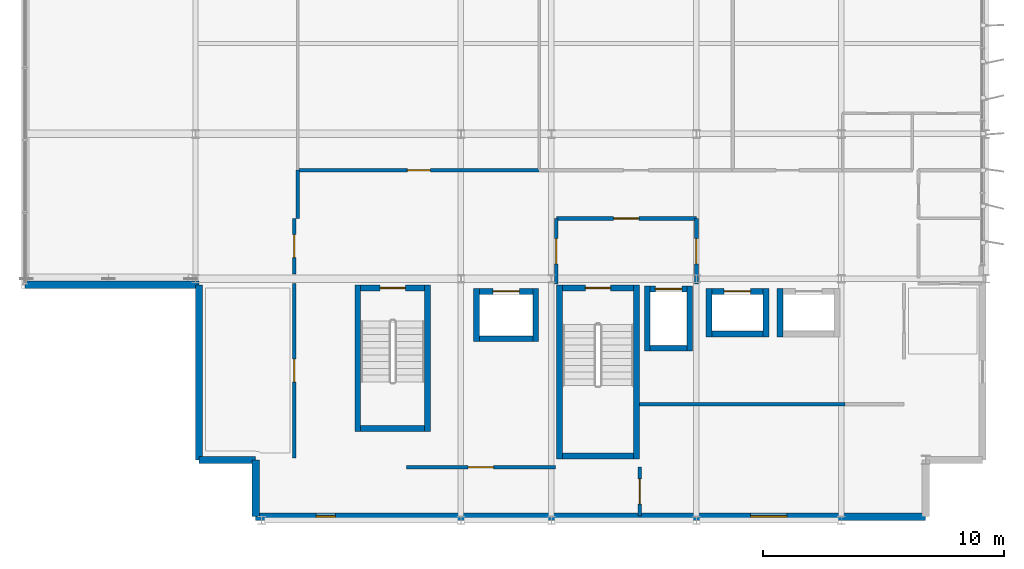
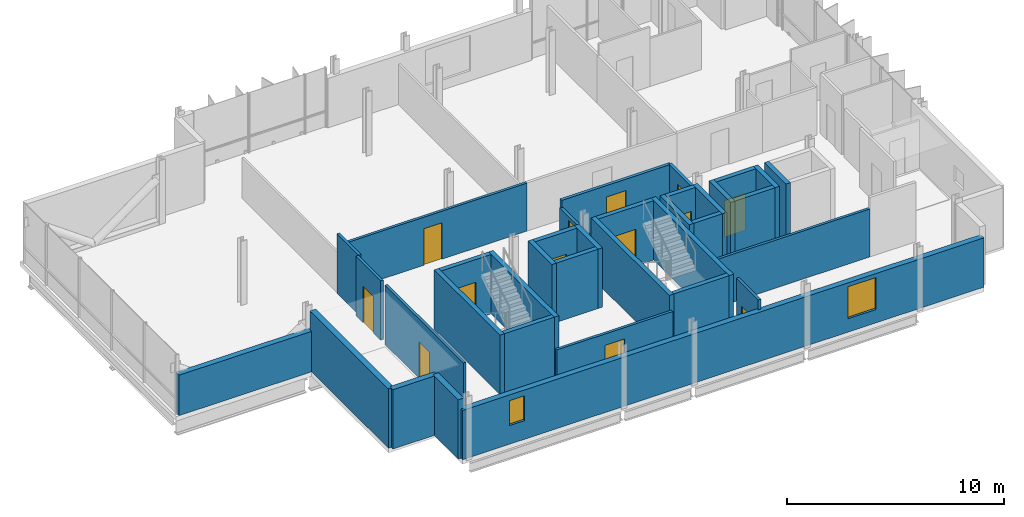
# One storey, part 14 of 18: 36 walls, 13 doors, 2 windows, 15 openings.
"""IFC4 building model written with IfcOpenShell, lengths in metres."""

from ifc_helpers import new_model, si_unit, direction, frame, frame_2d, origin, place, context, subcontext, project, spatial, rectangle, extrude, material, layer, layer_set, type_object, element, fill, save


model = new_model("IFC4")

# Units and contexts
model_context = context("Model", 3, precision=1e-05, world=origin(), true_north=direction((0.0, 1.0)))
body_context = subcontext(model_context, "Body", "Model", "MODEL_VIEW")
ifc_project = project(units=[si_unit("LENGTHUNIT", "METRE"), si_unit("AREAUNIT", "SQUARE_METRE"), si_unit("VOLUMEUNIT", "CUBIC_METRE"), si_unit("PLANEANGLEUNIT", "RADIAN"), si_unit("MASSUNIT", "GRAM", prefix="KILO")], contexts=[model_context])

# Site, building, storey
site_placement = place(None, origin())
site = spatial("IfcSite", under=ifc_project, at=site_placement, CompositionType="ELEMENT")
building_placement = place(site_placement, origin())
building = spatial("IfcBuilding", under=site, at=building_placement, Name="Brevholm Reach", CompositionType="ELEMENT")
storey_placement = place(building_placement, frame((0.0, 0.0, 243.64990234375)))
storey = spatial("IfcBuildingStorey", under=building, at=storey_placement, Name="L74", CompositionType="ELEMENT", Elevation=243.64990234375)

# Walls
ifc_material_1 = material(Name="Concrete C45/55", Category="concrete")
ifc_layer_1 = layer(ifc_material_1, 0.239990234375)
ifc_layer_set_1 = layer_set([ifc_layer_1], Name="Concrete C45/55")
wall_type_1 = type_object("IfcWallType", Name="WAL-COR-240", PredefinedType="SHEAR", material=ifc_layer_set_1)
for number, where, z_axis, x_axis, name in (
    (1, (42.330078125, 2.5400390625, 0.0), (0.0, 0.0, 1.0), (0.0, 1.0, 0.0), "L74 Escape Stair ST-2 Core Wall W"),
    (2, (45.52001953125, 2.5400390625, 0.0), (0.0, 0.0, 1.0), (0.0, 1.0, 0.0), "L74 Escape Stair ST-2 Core Wall E"),
):
    element("IfcWall", number, at=place(storey_placement, frame(where, z_axis=z_axis, x_axis=x_axis)), inside=storey, type_object=wall_type_1, Name=name, PredefinedType="SHEAR", context=body_context, shape_type="SweptSolid", body=[
        extrude(rectangle(XDim=7.199951171875, YDim=0.239990234375, at=frame_2d((3.60009765625, 0.0))), origin(), (0.0, 0.0, 1.0), 3.340087890625),
    ])
wall_1_placement = place(storey_placement, frame((42.449951171875, 2.659912109375, 0.0), z_axis=(0.0, 0.0, 1.0), x_axis=(1.0, 0.0, 0.0)))
element("IfcWall", 3, at=wall_1_placement, inside=storey, type_object=wall_type_1, Name="L74 Escape Stair ST-2 Core Wall S", PredefinedType="SHEAR", context=body_context, shape_type="SweptSolid", body=[
    extrude(rectangle(XDim=2.949951171875, YDim=0.239990234375, at=frame_2d((1.47509765625, 0.0))), origin(), (0.0, 0.0, 1.0), 3.340087890625),
])

# Wall, opening, door
wall_2_placement = place(storey_placement, frame((45.39990234375, 9.6201171875, 0.0), z_axis=(0.0, 0.0, 1.0), x_axis=(-1.0, 0.0, 0.0)))
wall_2 = element("IfcWall", 4, at=wall_2_placement, inside=storey, type_object=wall_type_1, Name="L74 Escape Stair ST-2 Core Wall N", PredefinedType="SHEAR", context=body_context, shape_type="SweptSolid", body=[
    extrude(rectangle(XDim=2.949951171875, YDim=0.239990234375, at=frame_2d((1.47509765625, 0.0))), origin(), (0.0, 0.0, 1.0), 3.340087890625),
])
opening_1_placement = place(wall_2_placement, frame((0.949951171875, 0.0, 0.0)))
opening_1 = element("IfcOpeningElement", 5, at=opening_1_placement, cuts=wall_2, Name="Opening SD-ST-2", PredefinedType="OPENING", context=body_context, shape_type="SweptSolid", body=[
    extrude(rectangle(XDim=1.050048828125, YDim=2.06005859375, at=frame_2d((0.52490234375, 1.030029296875))), frame((0.0, 0.1298828125, 0.0), z_axis=(0.0, -1.0, 0.0), x_axis=(1.0, 0.0, 0.0)), (0.0, 0.0, 1.0), 0.260009765625),
])
ifc_material_2 = material(Name="Hardwood-Lipped Steel-Core Fire and Smoke Door", Category="steel")
door_type_1 = type_object("IfcDoorType", Name="DOR-INT-FD60S", OperationType="NOTDEFINED", PredefinedType="DOOR", material=ifc_material_2)
door_1_placement = place(opening_1_placement, origin())
door_1 = element("IfcDoor", 6, at=door_1_placement, inside=storey, type_object=door_type_1, Name="L74 Protected Stair ST-2 Lobby Door", OperationType="SINGLE_SWING_LEFT", OverallHeight=2.06005859375, OverallWidth=1.050048828125, PredefinedType="DOOR", context=body_context, shape_type="SweptSolid", body=[
    extrude(rectangle(XDim=1.050048828125, YDim=2.06005859375, at=frame_2d((0.52490234375, 1.030029296875))), frame((0.0, 0.02490234375, 0.0), z_axis=(0.0, -1.0, 0.0), x_axis=(1.0, 0.0, 0.0)), (0.0, 0.0, 1.0), 0.050048828125),
])
fill(opening_1, door_1)

# Walls
for number, where, z_axis, x_axis, name in (
    (7, (33.97998046875, 3.679931640625, 0.0), (0.0, 0.0, 1.0), (0.0, 1.0, 0.0), "L74 Escape Stair ST-3 Core Wall W"),
    (8, (36.8701171875, 3.679931640625, 0.0), (0.0, 0.0, 1.0), (0.0, 1.0, 0.0), "L74 Escape Stair ST-3 Core Wall E"),
):
    element("IfcWall", number, at=place(storey_placement, frame(where, z_axis=z_axis, x_axis=x_axis)), inside=storey, type_object=wall_type_1, Name=name, PredefinedType="SHEAR", context=body_context, shape_type="SweptSolid", body=[
        extrude(rectangle(XDim=6.06005859375, YDim=0.239990234375, at=frame_2d((3.030029296875, 0.0))), origin(), (0.0, 0.0, 1.0), 3.340087890625),
    ])
wall_3_placement = place(storey_placement, frame((34.10009765625, 3.800048828125, 0.0), z_axis=(0.0, 0.0, 1.0), x_axis=(1.0, 0.0, 0.0)))
element("IfcWall", 9, at=wall_3_placement, inside=storey, type_object=wall_type_1, Name="L74 Escape Stair ST-3 Core Wall S", PredefinedType="SHEAR", context=body_context, shape_type="SweptSolid", body=[
    extrude(rectangle(XDim=2.64990234375, YDim=0.239990234375, at=frame_2d((1.324951171875, 0.0))), origin(), (0.0, 0.0, 1.0), 3.340087890625),
])

# Wall, opening, door
wall_4_placement = place(storey_placement, frame((36.75, 9.6201171875, 0.0), z_axis=(0.0, 0.0, 1.0), x_axis=(-1.0, 0.0, 0.0)))
wall_4 = element("IfcWall", 10, at=wall_4_placement, inside=storey, type_object=wall_type_1, Name="L74 Escape Stair ST-3 Core Wall N", PredefinedType="SHEAR", context=body_context, shape_type="SweptSolid", body=[
    extrude(rectangle(XDim=2.64990234375, YDim=0.239990234375, at=frame_2d((1.324951171875, 0.0))), origin(), (0.0, 0.0, 1.0), 3.340087890625),
])
opening_2_placement = place(wall_4_placement, frame((0.800048828125, 0.0, 0.0)))
opening_2 = element("IfcOpeningElement", 11, at=opening_2_placement, cuts=wall_4, Name="Opening SD-ST-3", PredefinedType="OPENING", context=body_context, shape_type="SweptSolid", body=[
    extrude(rectangle(XDim=1.050048828125, YDim=2.06005859375, at=frame_2d((0.52490234375, 1.030029296875))), frame((0.0, 0.1298828125, 0.0), z_axis=(0.0, -1.0, 0.0), x_axis=(1.0, 0.0, 0.0)), (0.0, 0.0, 1.0), 0.260009765625),
])
door_2_placement = place(opening_2_placement, origin())
door_2 = element("IfcDoor", 12, at=door_2_placement, inside=storey, type_object=door_type_1, Name="L74 Protected Stair ST-3 Lobby Door", OperationType="SINGLE_SWING_LEFT", OverallHeight=2.06005859375, OverallWidth=1.050048828125, PredefinedType="DOOR", context=body_context, shape_type="SweptSolid", body=[
    extrude(rectangle(XDim=1.050048828125, YDim=2.06005859375, at=frame_2d((0.52490234375, 1.030029296875))), frame((0.0, 0.02490234375, 0.0), z_axis=(0.0, -1.0, 0.0), x_axis=(1.0, 0.0, 0.0)), (0.0, 0.0, 1.0), 0.050048828125),
])
fill(opening_2, door_2)

# Walls
for number, where, z_axis, x_axis, name in (
    (13, (45.969970703125, 7.0, 0.0), (0.0, 0.0, 1.0), (0.0, 1.0, 0.0), "L74 Lift FFL-2 Shaft Wall W"),
    (14, (47.72998046875, 7.0, 0.0), (0.0, 0.0, 1.0), (0.0, 1.0, 0.0), "L74 Lift FFL-2 Shaft Wall E"),
):
    element("IfcWall", number, at=place(storey_placement, frame(where, z_axis=z_axis, x_axis=x_axis)), inside=storey, type_object=wall_type_1, Name=name, PredefinedType="SHEAR", context=body_context, shape_type="SweptSolid", body=[
        extrude(rectangle(XDim=2.699951171875, YDim=0.239990234375, at=frame_2d((1.35009765625, 0.0))), origin(), (0.0, 0.0, 1.0), 3.340087890625),
    ])
wall_5_placement = place(storey_placement, frame((46.090087890625, 7.1201171875, 0.0), z_axis=(0.0, 0.0, 1.0), x_axis=(1.0, 0.0, 0.0)))
element("IfcWall", 15, at=wall_5_placement, inside=storey, type_object=wall_type_1, Name="L74 Lift FFL-2 Shaft Wall S", PredefinedType="SHEAR", context=body_context, shape_type="SweptSolid", body=[
    extrude(rectangle(XDim=1.52001953125, YDim=0.239990234375, at=frame_2d((0.760009765625, 0.0))), origin(), (0.0, 0.0, 1.0), 3.340087890625),
])

# Wall, opening, door
wall_6_placement = place(storey_placement, frame((46.090087890625, 9.580078125, 0.0), z_axis=(0.0, 0.0, 1.0), x_axis=(1.0, 0.0, 0.0)))
wall_6 = element("IfcWall", 16, at=wall_6_placement, inside=storey, type_object=wall_type_1, Name="L74 Lift FFL-2 Shaft Wall N", PredefinedType="SHEAR", context=body_context, shape_type="SweptSolid", body=[
    extrude(rectangle(XDim=1.52001953125, YDim=0.239990234375, at=frame_2d((0.760009765625, 0.0))), origin(), (0.0, 0.0, 1.0), 3.340087890625),
])
opening_3_placement = place(wall_6_placement, frame((0.2099609375, 0.0, 0.0)))
opening_3 = element("IfcOpeningElement", 17, at=opening_3_placement, cuts=wall_6, Name="Opening LD-FFL-2", PredefinedType="OPENING", context=body_context, shape_type="SweptSolid", body=[
    extrude(rectangle(XDim=1.10009765625, YDim=2.06005859375, at=frame_2d((0.550048828125, 1.030029296875))), frame((0.0, 0.1298828125, 0.0), z_axis=(0.0, -1.0, 0.0), x_axis=(1.0, 0.0, 0.0)), (0.0, 0.0, 1.0), 0.260009765625),
])
ifc_material_3 = material(Name="Brushed Stainless Steel Fire-Rated Sliding Lift Door", Category="steel")
door_type_2 = type_object("IfcDoorType", Name="DOR-LFT-1100", OperationType="NOTDEFINED", PredefinedType="DOOR", material=ifc_material_3)
door_3_placement = place(opening_3_placement, origin())
door_3 = element("IfcDoor", 18, at=door_3_placement, inside=storey, type_object=door_type_2, Name="L74 Lift FFL-2 Sliding Landing Door", OperationType="SLIDING_TO_LEFT", OverallHeight=2.06005859375, OverallWidth=1.10009765625, PredefinedType="DOOR", context=body_context, shape_type="SweptSolid", body=[
    extrude(rectangle(XDim=1.10009765625, YDim=2.06005859375, at=frame_2d((0.550048828125, 1.030029296875))), frame((0.0, 0.02490234375, 0.0), z_axis=(0.0, -1.0, 0.0), x_axis=(1.0, 0.0, 0.0)), (0.0, 0.0, 1.0), 0.050048828125),
])
fill(opening_3, door_3)

# Walls
for number, where, z_axis, x_axis, name in (
    (19, (38.889892578125, 7.39990234375, 0.0), (0.0, 0.0, 1.0), (0.0, 1.0, 0.0), "L74 Lift PL-S1 Shaft Wall W"),
    (20, (41.35009765625, 7.39990234375, 0.0), (0.0, 0.0, 1.0), (0.0, 1.0, 0.0), "L74 Lift PL-S1 Shaft Wall E"),
):
    element("IfcWall", number, at=place(storey_placement, frame(where, z_axis=z_axis, x_axis=x_axis)), inside=storey, type_object=wall_type_1, Name=name, PredefinedType="SHEAR", context=body_context, shape_type="SweptSolid", body=[
        extrude(rectangle(XDim=2.2001953125, YDim=0.239990234375, at=frame_2d((1.10009765625, 0.0))), origin(), (0.0, 0.0, 1.0), 3.340087890625),
    ])
wall_7_placement = place(storey_placement, frame((39.010009765625, 7.52001953125, 0.0), z_axis=(0.0, 0.0, 1.0), x_axis=(1.0, 0.0, 0.0)))
element("IfcWall", 21, at=wall_7_placement, inside=storey, type_object=wall_type_1, Name="L74 Lift PL-S1 Shaft Wall S", PredefinedType="SHEAR", context=body_context, shape_type="SweptSolid", body=[
    extrude(rectangle(XDim=2.219970703125, YDim=0.239990234375, at=frame_2d((1.10986328125, 0.0))), origin(), (0.0, 0.0, 1.0), 3.340087890625),
])

# Wall, opening, door
wall_8_placement = place(storey_placement, frame((39.010009765625, 9.47998046875, 0.0), z_axis=(0.0, 0.0, 1.0), x_axis=(1.0, 0.0, 0.0)))
wall_8 = element("IfcWall", 22, at=wall_8_placement, inside=storey, type_object=wall_type_1, Name="L74 Lift PL-S1 Shaft Wall N", PredefinedType="SHEAR", context=body_context, shape_type="SweptSolid", body=[
    extrude(rectangle(XDim=2.219970703125, YDim=0.239990234375, at=frame_2d((1.10986328125, 0.0))), origin(), (0.0, 0.0, 1.0), 3.340087890625),
])
opening_4_placement = place(wall_8_placement, frame((0.56005859375, 0.0, 0.0)))
opening_4 = element("IfcOpeningElement", 23, at=opening_4_placement, cuts=wall_8, Name="Opening LD-PL-S1", PredefinedType="OPENING", context=body_context, shape_type="SweptSolid", body=[
    extrude(rectangle(XDim=1.10009765625, YDim=2.06005859375, at=frame_2d((0.550048828125, 1.030029296875))), frame((0.0, 0.1298828125, 0.0), z_axis=(0.0, -1.0, 0.0), x_axis=(1.0, 0.0, 0.0)), (0.0, 0.0, 1.0), 0.260009765625),
])
door_4_placement = place(opening_4_placement, origin())
door_4 = element("IfcDoor", 24, at=door_4_placement, inside=storey, type_object=door_type_2, Name="L74 Lift PL-S1 Sliding Landing Door", OperationType="SLIDING_TO_RIGHT", OverallHeight=2.06005859375, OverallWidth=1.10009765625, PredefinedType="DOOR", context=body_context, shape_type="SweptSolid", body=[
    extrude(rectangle(XDim=1.10009765625, YDim=2.06005859375, at=frame_2d((0.550048828125, 1.030029296875))), frame((0.0, 0.02490234375, 0.0), z_axis=(0.0, -1.0, 0.0), x_axis=(1.0, 0.0, 0.0)), (0.0, 0.0, 1.0), 0.050048828125),
])
fill(opening_4, door_4)

# Walls
for number, where, z_axis, x_axis, name in (
    (25, (48.52001953125, 7.60009765625, 0.0), (0.0, 0.0, 1.0), (0.0, 1.0, 0.0), "L74 Lift PL-H1 Shaft Wall W"),
    (26, (50.8798828125, 7.60009765625, 0.0), (0.0, 0.0, 1.0), (0.0, 1.0, 0.0), "L74 Lift PL-H1 Shaft Wall E"),
):
    element("IfcWall", number, at=place(storey_placement, frame(where, z_axis=z_axis, x_axis=x_axis)), inside=storey, type_object=wall_type_1, Name=name, PredefinedType="SHEAR", context=body_context, shape_type="SweptSolid", body=[
        extrude(rectangle(XDim=2.0, YDim=0.239990234375, at=frame_2d((1.0, 0.0))), origin(), (0.0, 0.0, 1.0), 3.340087890625),
    ])
wall_9_placement = place(storey_placement, frame((48.639892578125, 7.719970703125, 0.0), z_axis=(0.0, 0.0, 1.0), x_axis=(1.0, 0.0, 0.0)))
element("IfcWall", 27, at=wall_9_placement, inside=storey, type_object=wall_type_1, Name="L74 Lift PL-H1 Shaft Wall S", PredefinedType="SHEAR", context=body_context, shape_type="SweptSolid", body=[
    extrude(rectangle(XDim=2.1201171875, YDim=0.239990234375, at=frame_2d((1.06005859375, 0.0))), origin(), (0.0, 0.0, 1.0), 3.340087890625),
])

# Wall, opening, door
wall_10_placement = place(storey_placement, frame((48.639892578125, 9.47998046875, 0.0), z_axis=(0.0, 0.0, 1.0), x_axis=(1.0, 0.0, 0.0)))
wall_10 = element("IfcWall", 28, at=wall_10_placement, inside=storey, type_object=wall_type_1, Name="L74 Lift PL-H1 Shaft Wall N", PredefinedType="SHEAR", context=body_context, shape_type="SweptSolid", body=[
    extrude(rectangle(XDim=2.1201171875, YDim=0.239990234375, at=frame_2d((1.06005859375, 0.0))), origin(), (0.0, 0.0, 1.0), 3.340087890625),
])
opening_5_placement = place(wall_10_placement, frame((0.510009765625, 0.0, 0.0)))
opening_5 = element("IfcOpeningElement", 29, at=opening_5_placement, cuts=wall_10, Name="Opening LD-PL-H1", PredefinedType="OPENING", context=body_context, shape_type="SweptSolid", body=[
    extrude(rectangle(XDim=1.10009765625, YDim=2.06005859375, at=frame_2d((0.550048828125, 1.030029296875))), frame((0.0, 0.1298828125, 0.0), z_axis=(0.0, -1.0, 0.0), x_axis=(1.0, 0.0, 0.0)), (0.0, 0.0, 1.0), 0.260009765625),
])
door_5_placement = place(opening_5_placement, origin())
door_5 = element("IfcDoor", 30, at=door_5_placement, inside=storey, type_object=door_type_2, Name="L74 Lift PL-H1 Sliding Landing Door", OperationType="SLIDING_TO_LEFT", OverallHeight=2.06005859375, OverallWidth=1.10009765625, PredefinedType="DOOR", context=body_context, shape_type="SweptSolid", body=[
    extrude(rectangle(XDim=1.10009765625, YDim=2.06005859375, at=frame_2d((0.550048828125, 1.030029296875))), frame((0.0, 0.02490234375, 0.0), z_axis=(0.0, -1.0, 0.0), x_axis=(1.0, 0.0, 0.0)), (0.0, 0.0, 1.0), 0.050048828125),
])
fill(opening_5, door_5)

# Walls
wall_11_placement = place(storey_placement, frame((51.469970703125, 7.60009765625, 0.0), z_axis=(0.0, 0.0, 1.0), x_axis=(0.0, 1.0, 0.0)))
element("IfcWall", 31, at=wall_11_placement, inside=storey, type_object=wall_type_1, Name="L74 Lift PL-H2 Shaft Wall W", PredefinedType="SHEAR", context=body_context, shape_type="SweptSolid", body=[
    extrude(rectangle(XDim=2.0, YDim=0.239990234375, at=frame_2d((1.0, 0.0))), origin(), (0.0, 0.0, 1.0), 3.340087890625),
])
ifc_material_4 = material(Name="Concrete C40/50", Category="concrete")
ifc_layer_2 = layer(ifc_material_4, 0.300048828125)
ifc_layer_set_2 = layer_set([ifc_layer_2], Name="Concrete C40/50")
wall_type_2 = type_object("IfcWallType", Name="WAL-EXT-300", PredefinedType="STANDARD", material=ifc_layer_set_2)
for number, where, z_axis, x_axis, name in (
    (32, (29.75, 2.5, 0.0), (0.0, 0.0, 1.0), (0.0, -1.0, 0.0), "L74 Facade Wall WAL-L74-CSW1"),
    (33, (27.39990234375, 2.5, 0.0), (0.0, 0.0, 1.0), (1.0, 0.0, 0.0), "L74 Facade Wall WAL-L74-CSW2"),
):
    element("IfcWall", number, at=place(storey_placement, frame(where, z_axis=z_axis, x_axis=x_axis)), inside=storey, type_object=wall_type_2, Name=name, PredefinedType="STANDARD", context=body_context, shape_type="SweptSolid", body=[
        extrude(rectangle(XDim=2.35009765625, YDim=0.300048828125, at=frame_2d((1.175048828125, 0.0))), origin(), (0.0, 0.0, 1.0), 3.340087890625),
    ])

# Wall, openings, windows
wall_12_placement = place(storey_placement, frame((29.75, 0.14990234375, 0.0), z_axis=(0.0, 0.0, 1.0), x_axis=(1.0, 0.0, 0.0)))
wall_12 = element("IfcWall", 34, at=wall_12_placement, inside=storey, type_object=wall_type_2, Name="L74 Facade Wall WAL-L74-S", PredefinedType="STANDARD", context=body_context, shape_type="SweptSolid", body=[
    extrude(rectangle(XDim=27.75, YDim=0.300048828125, at=frame_2d((13.875, 0.0))), origin(), (0.0, 0.0, 1.0), 2.775634765625),
])
opening_6_placement = place(wall_12_placement, frame((2.5, 0.0, 1.050048828125)))
opening_6 = element("IfcOpeningElement", 35, at=opening_6_placement, cuts=wall_12, Name="Opening WN-11", PredefinedType="OPENING", context=body_context, shape_type="SweptSolid", body=[
    extrude(rectangle(XDim=0.800048828125, YDim=1.39990234375, at=frame_2d((0.39990234375, 0.699951171875))), frame((0.0, 0.159912109375, 0.0), z_axis=(0.0, -1.0, 0.0), x_axis=(1.0, 0.0, 0.0)), (0.0, 0.0, 1.0), 0.320068359375),
])
opening_7_placement = place(wall_12_placement, frame((20.5, 0.0, 0.7548828125)))
opening_7 = element("IfcOpeningElement", 36, at=opening_7_placement, cuts=wall_12, Name="Opening WN-05", PredefinedType="OPENING", context=body_context, shape_type="SweptSolid", body=[
    extrude(rectangle(XDim=1.5, YDim=1.800048828125, at=frame_2d((0.75, 0.89990234375))), frame((0.0, 0.159912109375, 0.0), z_axis=(0.0, -1.0, 0.0), x_axis=(1.0, 0.0, 0.0)), (0.0, 0.0, 1.0), 0.320068359375),
])
ifc_material_5 = material(Name="Dark Anodised Aluminium and Solar-Control IGU Glass", Category="aluminium")
window_type_1 = type_object("IfcWindowType", Name="WIN-COR-0800", PartitioningType="SINGLE_PANEL", PredefinedType="WINDOW", material=ifc_material_5)
window_1_placement = place(opening_6_placement, origin())
window_1 = element("IfcWindow", 37, at=window_1_placement, inside=storey, type_object=window_type_1, Name="L74 Window WIN-L74-S-1", OverallHeight=1.39990234375, OverallWidth=0.800048828125, PartitioningType="SINGLE_PANEL", PredefinedType="WINDOW", context=body_context, shape_type="SweptSolid", body=[
    extrude(rectangle(XDim=0.800048828125, YDim=1.39990234375, at=frame_2d((0.39990234375, 0.699951171875))), frame((0.0, 0.030029296875, 0.0), z_axis=(0.0, -1.0, 0.0), x_axis=(1.0, 0.0, 0.0)), (0.0, 0.0, 1.0), 0.06005859375),
])
fill(opening_6, window_1)
ifc_material_6 = material(Name="Dark Anodised Aluminium and Solar-Control IGU Glass", Category="aluminium")
window_type_2 = type_object("IfcWindowType", Name="WIN-RES-1500", PartitioningType="SINGLE_PANEL", PredefinedType="WINDOW", material=ifc_material_6)
window_2_placement = place(opening_7_placement, origin())
window_2 = element("IfcWindow", 38, at=window_2_placement, inside=storey, type_object=window_type_2, Name="L74 Window WIN-L74-S-2", OverallHeight=1.800048828125, OverallWidth=1.5, PartitioningType="SINGLE_PANEL", PredefinedType="WINDOW", context=body_context, shape_type="SweptSolid", body=[
    extrude(rectangle(XDim=1.5, YDim=1.800048828125, at=frame_2d((0.75, 0.89990234375))), frame((0.0, 0.030029296875, 0.0), z_axis=(0.0, -1.0, 0.0), x_axis=(1.0, 0.0, 0.0)), (0.0, 0.0, 1.0), 0.06005859375),
])
fill(opening_7, window_2)

# Walls
wall_13_placement = place(storey_placement, frame((27.39990234375, 9.75, 0.0), z_axis=(0.0, 0.0, 1.0), x_axis=(0.0, -1.0, 0.0)))
element("IfcWall", 39, at=wall_13_placement, inside=storey, type_object=wall_type_2, Name="L74 Facade Wall WAL-L74-W-S", PredefinedType="STANDARD", context=body_context, shape_type="SweptSolid", body=[
    extrude(rectangle(XDim=7.25, YDim=0.300048828125, at=frame_2d((3.625, 0.0))), origin(), (0.0, 0.0, 1.0), 3.340087890625),
])
wall_14_placement = place(storey_placement, frame((27.39990234375, 9.75, 0.0), z_axis=(0.0, 0.0, 1.0), x_axis=(-1.0, 0.0, 0.0)))
element("IfcWall", 40, at=wall_14_placement, inside=storey, type_object=wall_type_2, Name="L74 Facade Wall WAL-L74-CANT-S", PredefinedType="STANDARD", context=body_context, shape_type="SweptSolid", body=[
    extrude(rectangle(XDim=7.199951171875, YDim=0.300048828125, at=frame_2d((3.60009765625, 0.0))), origin(), (0.0, 0.0, 1.0), 2.27880859375),
])

# Wall, opening, door
ifc_material_7 = material(Name="Twin-Stud Acoustic Fire-Rated Gypsum Partition 140 mm", Category="gypsum")
ifc_layer_3 = layer(ifc_material_7, 0.139892578125)
ifc_layer_set_3 = layer_set([ifc_layer_3], Name="Twin-Stud Acoustic Fire-Rated Gypsum Partition 140 mm")
wall_type_3 = type_object("IfcWallType", Name="WAL-PRT-140", PredefinedType="PARTITIONING", material=ifc_layer_set_3)
wall_15_placement = place(storey_placement, frame((31.35009765625, 2.588623046875, 0.0), z_axis=(0.0, 0.0, 1.0), x_axis=(0.0, 1.0, 0.0)))
wall_15 = element("IfcWall", 41, at=wall_15_placement, inside=storey, type_object=wall_type_3, Name="L74 Internal Partition 001", PredefinedType="PARTITIONING", context=body_context, shape_type="SweptSolid", body=[
    extrude(rectangle(XDim=7.22265625, YDim=0.139892578125, at=frame_2d((3.611328125, 0.0))), origin(), (0.0, 0.0, 1.0), 3.340087890625),
])
opening_8_placement = place(wall_15_placement, frame((3.13623046875, 0.0, 0.0)))
opening_8 = element("IfcOpeningElement", 42, at=opening_8_placement, cuts=wall_15, Name="Opening ID-30", PredefinedType="OPENING", context=body_context, shape_type="SweptSolid", body=[
    extrude(rectangle(XDim=0.949951171875, YDim=2.050048828125, at=frame_2d((0.47509765625, 1.02490234375))), frame((0.0, 0.079833984375, 0.0), z_axis=(0.0, -1.0, 0.0), x_axis=(1.0, 0.0, 0.0)), (0.0, 0.0, 1.0), 0.159912109375),
])
ifc_material_8 = material(Name="European Oak Veneered Solid-Core Fire Entrance Door", Category="timber")
door_type_3 = type_object("IfcDoorType", Name="DOR-FLT-FD30S", OperationType="NOTDEFINED", PredefinedType="DOOR", material=ifc_material_8)
door_6_placement = place(opening_8_placement, origin())
door_6 = element("IfcDoor", 43, at=door_6_placement, inside=storey, type_object=door_type_3, Name="L74 Internal Door 001", OperationType="SINGLE_SWING_RIGHT", OverallHeight=2.050048828125, OverallWidth=0.949951171875, PredefinedType="DOOR", context=body_context, shape_type="SweptSolid", body=[
    extrude(rectangle(XDim=0.949951171875, YDim=2.050048828125, at=frame_2d((0.47509765625, 1.02490234375))), frame((0.0, 0.02490234375, 0.0), z_axis=(0.0, -1.0, 0.0), x_axis=(1.0, 0.0, 0.0)), (0.0, 0.0, 1.0), 0.050048828125),
])
fill(opening_8, door_6)

wall_16_placement = place(storey_placement, frame((31.35009765625, 10.208740234375, 0.0), z_axis=(0.0, 0.0, 1.0), x_axis=(0.0, 1.0, 0.0)))
wall_16 = element("IfcWall", 44, at=wall_16_placement, inside=storey, type_object=wall_type_3, Name="L74 Internal Partition 002", PredefinedType="PARTITIONING", context=body_context, shape_type="SweptSolid", body=[
    extrude(rectangle(XDim=2.291259765625, YDim=0.139892578125, at=frame_2d((1.1455078125, 0.0))), origin(), (0.0, 0.0, 1.0), 3.340087890625),
])
opening_9_placement = place(wall_16_placement, frame((0.670654296875, 0.0, 0.0)))
opening_9 = element("IfcOpeningElement", 45, at=opening_9_placement, cuts=wall_16, Name="Opening ID-30", PredefinedType="OPENING", context=body_context, shape_type="SweptSolid", body=[
    extrude(rectangle(XDim=0.949951171875, YDim=2.050048828125, at=frame_2d((0.47509765625, 1.02490234375))), frame((0.0, 0.079833984375, 0.0), z_axis=(0.0, -1.0, 0.0), x_axis=(1.0, 0.0, 0.0)), (0.0, 0.0, 1.0), 0.159912109375),
])
door_7_placement = place(opening_9_placement, origin())
door_7 = element("IfcDoor", 46, at=door_7_placement, inside=storey, type_object=door_type_3, Name="L74 Internal Door 002", OperationType="SINGLE_SWING_LEFT", OverallHeight=2.050048828125, OverallWidth=0.949951171875, PredefinedType="DOOR", context=body_context, shape_type="SweptSolid", body=[
    extrude(rectangle(XDim=0.949951171875, YDim=2.050048828125, at=frame_2d((0.47509765625, 1.02490234375))), frame((0.0, 0.02490234375, 0.0), z_axis=(0.0, -1.0, 0.0), x_axis=(1.0, 0.0, 0.0)), (0.0, 0.0, 1.0), 0.050048828125),
])
fill(opening_9, door_7)

wall_17_placement = place(storey_placement, frame((35.98876953125, 2.199951171875, 0.0), z_axis=(0.0, 0.0, 1.0), x_axis=(1.0, 0.0, 0.0)))
wall_17 = element("IfcWall", 47, at=wall_17_placement, inside=storey, type_object=wall_type_3, Name="L74 Internal Partition 003", PredefinedType="PARTITIONING", context=body_context, shape_type="SweptSolid", body=[
    extrude(rectangle(XDim=6.172607421875, YDim=0.139892578125, at=frame_2d((3.08642578125, 0.0))), origin(), (0.0, 0.0, 1.0), 2.702880859375),
])
opening_10_placement = place(wall_17_placement, frame((2.561279296875, 0.0, 0.0)))
opening_10 = element("IfcOpeningElement", 48, at=opening_10_placement, cuts=wall_17, Name="Opening FD-01", PredefinedType="OPENING", context=body_context, shape_type="SweptSolid", body=[
    extrude(rectangle(XDim=1.050048828125, YDim=2.06005859375, at=frame_2d((0.52490234375, 1.030029296875))), frame((0.0, 0.079833984375, 0.0), z_axis=(0.0, -1.0, 0.0), x_axis=(1.0, 0.0, 0.0)), (0.0, 0.0, 1.0), 0.159912109375),
])
door_8_placement = place(opening_10_placement, origin())
door_8 = element("IfcDoor", 49, at=door_8_placement, inside=storey, type_object=door_type_1, Name="L74 Internal Door 003", OperationType="SINGLE_SWING_RIGHT", OverallHeight=2.06005859375, OverallWidth=1.050048828125, PredefinedType="DOOR", context=body_context, shape_type="SweptSolid", body=[
    extrude(rectangle(XDim=1.050048828125, YDim=2.06005859375, at=frame_2d((0.52490234375, 1.030029296875))), frame((0.0, 0.02490234375, 0.0), z_axis=(0.0, -1.0, 0.0), x_axis=(1.0, 0.0, 0.0)), (0.0, 0.0, 1.0), 0.050048828125),
])
fill(opening_10, door_8)

wall_18_placement = place(storey_placement, frame((45.64990234375, 0.179931640625, 0.0), z_axis=(0.0, 0.0, 1.0), x_axis=(0.0, 1.0, 0.0)))
wall_18 = element("IfcWall", 50, at=wall_18_placement, inside=storey, type_object=wall_type_3, Name="L74 Internal Partition 004", PredefinedType="PARTITIONING", context=body_context, shape_type="SweptSolid", body=[
    extrude(rectangle(XDim=2.02001953125, YDim=0.139892578125, at=frame_2d((1.010009765625, 0.0))), origin(), (0.0, 0.0, 1.0), 3.340087890625),
])
opening_11_placement = place(wall_18_placement, frame((0.485107421875, 0.0, 0.0)))
opening_11 = element("IfcOpeningElement", 51, at=opening_11_placement, cuts=wall_18, Name="Opening FD-01", PredefinedType="OPENING", context=body_context, shape_type="SweptSolid", body=[
    extrude(rectangle(XDim=1.050048828125, YDim=2.06005859375, at=frame_2d((0.52490234375, 1.030029296875))), frame((0.0, 0.079833984375, 0.0), z_axis=(0.0, -1.0, 0.0), x_axis=(1.0, 0.0, 0.0)), (0.0, 0.0, 1.0), 0.159912109375),
])
door_9_placement = place(opening_11_placement, origin())
door_9 = element("IfcDoor", 52, at=door_9_placement, inside=storey, type_object=door_type_1, Name="L74 Internal Door 004", OperationType="SINGLE_SWING_LEFT", OverallHeight=2.06005859375, OverallWidth=1.050048828125, PredefinedType="DOOR", context=body_context, shape_type="SweptSolid", body=[
    extrude(rectangle(XDim=1.050048828125, YDim=2.06005859375, at=frame_2d((0.52490234375, 1.030029296875))), frame((0.0, 0.02490234375, 0.0), z_axis=(0.0, -1.0, 0.0), x_axis=(1.0, 0.0, 0.0)), (0.0, 0.0, 1.0), 0.050048828125),
])
fill(opening_11, door_9)

# Walls
wall_19_placement = place(storey_placement, frame((45.64990234375, 4.800048828125, 0.0), z_axis=(0.0, 0.0, 1.0), x_axis=(1.0, 0.0, 0.0)))
element("IfcWall", 53, at=wall_19_placement, inside=storey, type_object=wall_type_3, Name="L74 Internal Partition 005", PredefinedType="PARTITIONING", context=body_context, shape_type="SweptSolid", body=[
    extrude(rectangle(XDim=8.5, YDim=0.139892578125, at=frame_2d((4.25, 0.0))), origin(), (0.0, 0.0, 1.0), 2.702880859375),
])
wall_20_placement = place(storey_placement, frame((31.5, 12.50390625, 0.0), z_axis=(0.0, 0.0, 1.0), x_axis=(0.0, 1.0, 0.0)))
element("IfcWall", 54, at=wall_20_placement, inside=storey, type_object=wall_type_3, Name="L74 Internal Partition 013", PredefinedType="PARTITIONING", context=body_context, shape_type="SweptSolid", body=[
    extrude(rectangle(XDim=1.99609375, YDim=0.139892578125, at=frame_2d((0.998046875, 0.0))), origin(), (0.0, 0.0, 1.0), 3.340087890625),
])

# Wall, opening, door
wall_21_placement = place(storey_placement, frame((31.5, 14.5, 0.0), z_axis=(0.0, 0.0, 1.0), x_axis=(1.0, 0.0, 0.0)))
wall_21 = element("IfcWall", 55, at=wall_21_placement, inside=storey, type_object=wall_type_3, Name="L74 Internal Partition 014", PredefinedType="PARTITIONING", context=body_context, shape_type="SweptSolid", body=[
    extrude(rectangle(XDim=10.01123046875, YDim=0.139892578125, at=frame_2d((5.005615234375, 0.0))), origin(), (0.0, 0.0, 1.0), 2.702880859375),
])
opening_12_placement = place(wall_21_placement, frame((4.530517578125, 0.0, 0.0)))
opening_12 = element("IfcOpeningElement", 56, at=opening_12_placement, cuts=wall_21, Name="Opening ID-30", PredefinedType="OPENING", context=body_context, shape_type="SweptSolid", body=[
    extrude(rectangle(XDim=0.949951171875, YDim=2.050048828125, at=frame_2d((0.47509765625, 1.02490234375))), frame((0.0, 0.079833984375, 0.0), z_axis=(0.0, -1.0, 0.0), x_axis=(1.0, 0.0, 0.0)), (0.0, 0.0, 1.0), 0.159912109375),
])
door_10_placement = place(opening_12_placement, origin())
door_10 = element("IfcDoor", 57, at=door_10_placement, inside=storey, type_object=door_type_3, Name="L74 Internal Door 010", OperationType="SINGLE_SWING_LEFT", OverallHeight=2.050048828125, OverallWidth=0.949951171875, PredefinedType="DOOR", context=body_context, shape_type="SweptSolid", body=[
    extrude(rectangle(XDim=0.949951171875, YDim=2.050048828125, at=frame_2d((0.47509765625, 1.02490234375))), frame((0.0, 0.02490234375, 0.0), z_axis=(0.0, -1.0, 0.0), x_axis=(1.0, 0.0, 0.0)), (0.0, 0.0, 1.0), 0.050048828125),
])
fill(opening_12, door_10)

ifc_material_9 = material(Name="Twin-Frame Fire-Rated Gypsum Board and Mineral Wool 160 mm", Category="gypsum")
ifc_layer_4 = layer(ifc_material_9, 0.159912109375)
ifc_layer_set_4 = layer_set([ifc_layer_4], Name="Twin-Frame Fire-Rated Gypsum Board and Mineral Wool 160 mm")
wall_type_4 = type_object("IfcWallType", Name="WAL-PRT-160", PredefinedType="PARTITIONING", material=ifc_layer_set_4)
wall_22_placement = place(storey_placement, frame((42.199951171875, 9.788818359375, 0.0), z_axis=(0.0, 0.0, 1.0), x_axis=(0.0, 1.0, 0.0)))
wall_22 = element("IfcWall", 58, at=wall_22_placement, inside=storey, type_object=wall_type_4, Name="L74 Internal Partition 008", PredefinedType="PARTITIONING", context=body_context, shape_type="SweptSolid", body=[
    extrude(rectangle(XDim=2.711181640625, YDim=0.159912109375, at=frame_2d((1.35546875, 0.0))), origin(), (0.0, 0.0, 1.0), 2.27880859375),
])
opening_13_placement = place(wall_22_placement, frame((0.83056640625, 0.0, 0.0)))
opening_13 = element("IfcOpeningElement", 59, at=opening_13_placement, cuts=wall_22, Name="Opening FD-01", PredefinedType="OPENING", context=body_context, shape_type="SweptSolid", body=[
    extrude(rectangle(XDim=1.050048828125, YDim=2.06005859375, at=frame_2d((0.52490234375, 1.030029296875))), frame((0.0, 0.08984375, 0.0), z_axis=(0.0, -1.0, 0.0), x_axis=(1.0, 0.0, 0.0)), (0.0, 0.0, 1.0), 0.179931640625),
])
door_11_placement = place(opening_13_placement, origin())
door_11 = element("IfcDoor", 60, at=door_11_placement, inside=storey, type_object=door_type_1, Name="L74 Internal Door 006", OperationType="SINGLE_SWING_LEFT", OverallHeight=2.06005859375, OverallWidth=1.050048828125, PredefinedType="DOOR", context=body_context, shape_type="SweptSolid", body=[
    extrude(rectangle(XDim=1.050048828125, YDim=2.06005859375, at=frame_2d((0.52490234375, 1.030029296875))), frame((0.0, 0.02490234375, 0.0), z_axis=(0.0, -1.0, 0.0), x_axis=(1.0, 0.0, 0.0)), (0.0, 0.0, 1.0), 0.050048828125),
])
fill(opening_13, door_11)

wall_23_placement = place(storey_placement, frame((48.0, 9.788818359375, 0.0), z_axis=(0.0, 0.0, 1.0), x_axis=(0.0, 1.0, 0.0)))
wall_23 = element("IfcWall", 61, at=wall_23_placement, inside=storey, type_object=wall_type_4, Name="L74 Internal Partition 009", PredefinedType="PARTITIONING", context=body_context, shape_type="SweptSolid", body=[
    extrude(rectangle(XDim=2.711181640625, YDim=0.159912109375, at=frame_2d((1.35546875, 0.0))), origin(), (0.0, 0.0, 1.0), 2.702880859375),
])
opening_14_placement = place(wall_23_placement, frame((0.83056640625, 0.0, 0.0)))
opening_14 = element("IfcOpeningElement", 62, at=opening_14_placement, cuts=wall_23, Name="Opening FD-01", PredefinedType="OPENING", context=body_context, shape_type="SweptSolid", body=[
    extrude(rectangle(XDim=1.050048828125, YDim=2.06005859375, at=frame_2d((0.52490234375, 1.030029296875))), frame((0.0, 0.08984375, 0.0), z_axis=(0.0, -1.0, 0.0), x_axis=(1.0, 0.0, 0.0)), (0.0, 0.0, 1.0), 0.179931640625),
])
door_12_placement = place(opening_14_placement, origin())
door_12 = element("IfcDoor", 63, at=door_12_placement, inside=storey, type_object=door_type_1, Name="L74 Internal Door 007", OperationType="SINGLE_SWING_RIGHT", OverallHeight=2.06005859375, OverallWidth=1.050048828125, PredefinedType="DOOR", context=body_context, shape_type="SweptSolid", body=[
    extrude(rectangle(XDim=1.050048828125, YDim=2.06005859375, at=frame_2d((0.52490234375, 1.030029296875))), frame((0.0, 0.02490234375, 0.0), z_axis=(0.0, -1.0, 0.0), x_axis=(1.0, 0.0, 0.0)), (0.0, 0.0, 1.0), 0.050048828125),
])
fill(opening_14, door_12)

wall_24_placement = place(storey_placement, frame((42.199951171875, 12.5, 0.0), z_axis=(0.0, 0.0, 1.0), x_axis=(1.0, 0.0, 0.0)))
wall_24 = element("IfcWall", 64, at=wall_24_placement, inside=storey, type_object=wall_type_4, Name="L74 Internal Partition 010", PredefinedType="PARTITIONING", context=body_context, shape_type="SweptSolid", body=[
    extrude(rectangle(XDim=5.800048828125, YDim=0.159912109375, at=frame_2d((2.89990234375, 0.0))), origin(), (0.0, 0.0, 1.0), 2.702880859375),
])
opening_15_placement = place(wall_24_placement, frame((2.375, 0.0, 0.0)))
opening_15 = element("IfcOpeningElement", 65, at=opening_15_placement, cuts=wall_24, Name="Opening FD-01", PredefinedType="OPENING", context=body_context, shape_type="SweptSolid", body=[
    extrude(rectangle(XDim=1.050048828125, YDim=2.06005859375, at=frame_2d((0.52490234375, 1.030029296875))), frame((0.0, 0.08984375, 0.0), z_axis=(0.0, -1.0, 0.0), x_axis=(1.0, 0.0, 0.0)), (0.0, 0.0, 1.0), 0.179931640625),
])
door_13_placement = place(opening_15_placement, origin())
door_13 = element("IfcDoor", 66, at=door_13_placement, inside=storey, type_object=door_type_1, Name="L74 Internal Door 008", OperationType="SINGLE_SWING_LEFT", OverallHeight=2.06005859375, OverallWidth=1.050048828125, PredefinedType="DOOR", context=body_context, shape_type="SweptSolid", body=[
    extrude(rectangle(XDim=1.050048828125, YDim=2.06005859375, at=frame_2d((0.52490234375, 1.030029296875))), frame((0.0, 0.02490234375, 0.0), z_axis=(0.0, -1.0, 0.0), x_axis=(1.0, 0.0, 0.0)), (0.0, 0.0, 1.0), 0.050048828125),
])
fill(opening_15, door_13)

save(model, "model.ifc")
